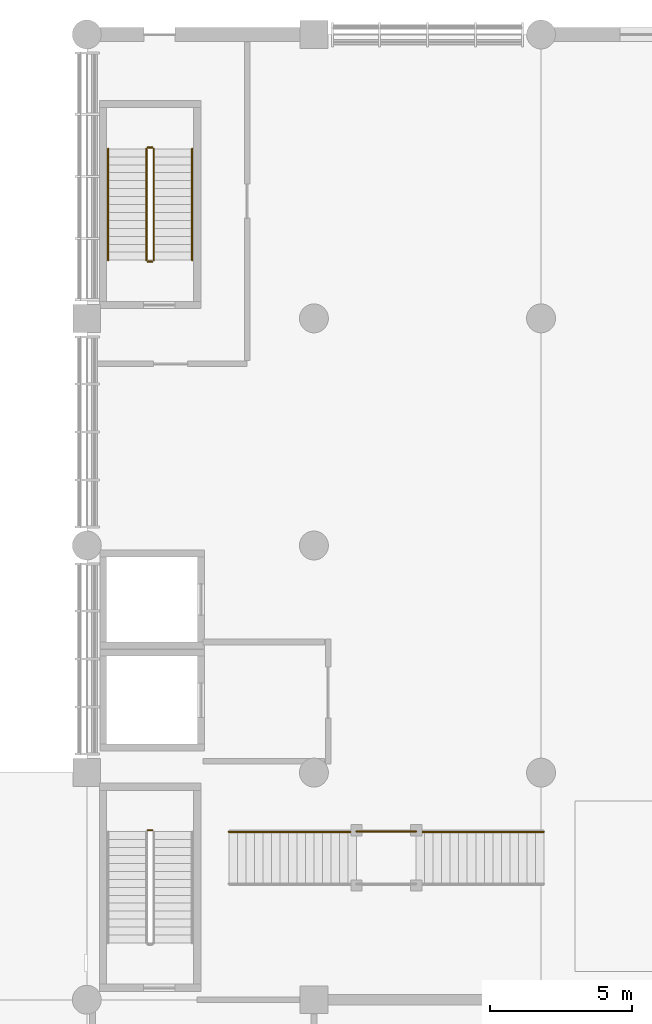
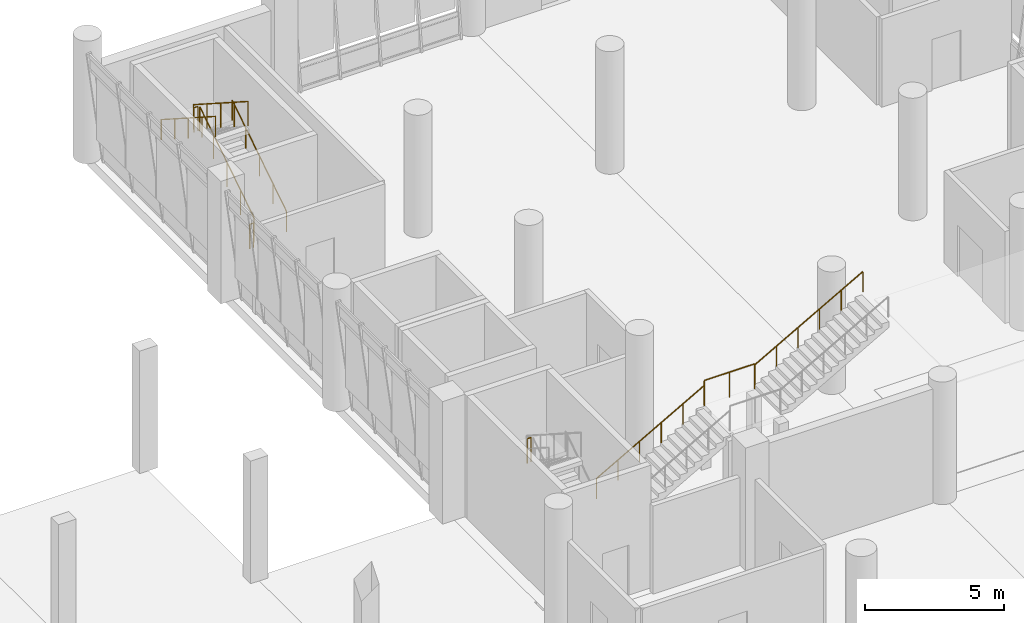
# One storey, part 39 of 42: 10 railings.
"""IFC4 building model written with IfcOpenShell, lengths in metres."""

from ifc_helpers import new_model, si_unit, direction, frame, origin, origin_2d, place, context, subcontext, project, spatial, circle, extrude, material, type_object, element, save


model = new_model("IFC4")

# Units and contexts
model_context = context("Model", 3, precision=1e-05, world=origin(), true_north=direction((0.0, 1.0)))
body_context = subcontext(model_context, "Body", "Model", "MODEL_VIEW")
ifc_project = project(units=[si_unit("LENGTHUNIT", "METRE"), si_unit("AREAUNIT", "SQUARE_METRE"), si_unit("VOLUMEUNIT", "CUBIC_METRE"), si_unit("PLANEANGLEUNIT", "RADIAN"), si_unit("MASSUNIT", "GRAM", prefix="KILO")], contexts=[model_context])

# Site, building, storey
site_placement = place(None, origin())
site = spatial("IfcSite", under=ifc_project, at=site_placement, CompositionType="ELEMENT")
building_placement = place(site_placement, origin())
building = spatial("IfcBuilding", under=site, at=building_placement, Name="Pecanmere Concourse Central Library", CompositionType="ELEMENT")
storey_placement = place(building_placement, origin())
storey = spatial("IfcBuildingStorey", under=building, at=storey_placement, Name="L01", CompositionType="ELEMENT", Elevation=0.0)

# Railings
ifc_material_1 = material(Name="Architectural anodized bronze")
railing_type_1 = type_object("IfcRailingType", Name="RAIL_ATRIUM_BAL", PredefinedType="BALUSTRADE", material=ifc_material_1)
railing_1_placement = place(storey_placement, frame((81.5, 95.925048828125, 2.699951171875)))
element("IfcRailing", 1, at=railing_1_placement, inside=storey, type_object=railing_type_1, Name="ST-M2 Mid-Landing Guard R", PredefinedType="BALUSTRADE", context=body_context, shape_type="SweptSolid", body=[
    extrude(circle(Radius=0.02392578125, at=origin_2d()), frame((0.0, 0.0, 1.09619140625), z_axis=(1.0, 0.0, 0.0), x_axis=(0.0, 1.0, 0.0)), (0.0, 0.0, 1.0), 2.10009765625),
    extrude(circle(Radius=0.02099609375, at=origin_2d()), origin(), (0.0, 0.0, 1.0), 1.072021484375),
    extrude(circle(Radius=0.02099609375, at=origin_2d()), frame((1.050048828125, 0.0, 0.0)), (0.0, 0.0, 1.0), 1.072021484375),
    extrude(circle(Radius=0.02099609375, at=origin_2d()), frame((2.10009765625, 0.0, 0.0)), (0.0, 0.0, 1.0), 1.072021484375),
])
ifc_material_2 = material(Name="Painted architectural steel ASTM A36", Category="steel")
railing_type_2 = type_object("IfcRailingType", Name="RAIL_STAIR_GUARD", PredefinedType="GUARDRAIL", material=ifc_material_2)
railing_2_placement = place(storey_placement, frame((74.31005859375, 95.969970703125, 2.699951171875)))
element("IfcRailing", 2, at=railing_2_placement, inside=storey, type_object=railing_type_2, Name="L01 ST-01 Guard 2", PredefinedType="GUARDRAIL", context=body_context, shape_type="SweptSolid", body=[
    extrude(circle(Radius=0.02392578125, at=origin_2d()), frame((0.0, 0.0, 1.076171875), z_axis=(-1.0, 0.0, 0.0), x_axis=(0.0, -1.0, 0.0)), (0.0, 0.0, 1.0), 0.16015625),
    extrude(circle(Radius=0.02099609375, at=origin_2d()), origin(), (0.0, 0.0, 1.0), 1.052001953125),
    extrude(circle(Radius=0.02099609375, at=origin_2d()), frame((-0.16015625, 0.0, 0.0)), (0.0, 0.0, 1.0), 1.052001953125),
])
railing_3_placement = place(storey_placement, frame((74.360107421875, 116.050048828125, 0.179931640625)))
element("IfcRailing", 3, at=railing_3_placement, inside=storey, type_object=railing_type_2, Name="L01 ST-03 Guard 1", PredefinedType="GUARDRAIL", context=body_context, shape_type="SweptSolid", body=[
    extrude(circle(Radius=0.02392578125, at=origin_2d()), frame((0.0, 0.0, 1.076171875), z_axis=(0.0, 0.841171666519, 0.540768182723), x_axis=(-1.0, 0.0, 0.0)), (0.0, 0.0, 1.0), 4.66015625),
    extrude(circle(Radius=0.02099609375, at=origin_2d()), origin(), (0.0, 0.0, 1.0), 1.052001953125),
    extrude(circle(Radius=0.02099609375, at=origin_2d()), frame((0.0, 0.97998046875, 0.6298828125)), (0.0, 0.0, 1.0), 1.052001953125),
    extrude(circle(Radius=0.02099609375, at=origin_2d()), frame((0.0, 1.9599609375, 1.260009765625)), (0.0, 0.0, 1.0), 1.052001953125),
    extrude(circle(Radius=0.02099609375, at=origin_2d()), frame((0.0, 2.93994140625, 1.89013671875)), (0.0, 0.0, 1.0), 1.052001953125),
    extrude(circle(Radius=0.02099609375, at=origin_2d()), frame((0.0, 3.919921875, 2.52001953125)), (0.0, 0.0, 1.0), 1.052001953125),
])
railing_4_placement = place(storey_placement, frame((74.31005859375, 120.02001953125, 2.699951171875)))
element("IfcRailing", 4, at=railing_4_placement, inside=storey, type_object=railing_type_2, Name="L01 ST-03 Guard 2", PredefinedType="GUARDRAIL", context=body_context, shape_type="SweptSolid", body=[
    extrude(circle(Radius=0.02392578125, at=origin_2d()), frame((0.0, 0.0, 1.076171875), z_axis=(-1.0, 0.0, 0.0), x_axis=(0.0, -1.0, 0.0)), (0.0, 0.0, 1.0), 0.16015625),
    extrude(circle(Radius=0.02099609375, at=origin_2d()), origin(), (0.0, 0.0, 1.0), 1.052001953125),
    extrude(circle(Radius=0.02099609375, at=origin_2d()), frame((-0.16015625, 0.0, 0.0)), (0.0, 0.0, 1.0), 1.052001953125),
])
railing_5_placement = place(storey_placement, frame((74.10009765625, 119.969970703125, 2.8798828125)))
element("IfcRailing", 5, at=railing_5_placement, inside=storey, type_object=railing_type_2, Name="L01 ST-03 Guard 3", PredefinedType="GUARDRAIL", context=body_context, shape_type="SweptSolid", body=[
    extrude(circle(Radius=0.02392578125, at=origin_2d()), frame((0.0, 0.0, 1.076171875), z_axis=(0.0, -0.841171666519, 0.540768182723), x_axis=(1.0, 0.0, 0.0)), (0.0, 0.0, 1.0), 4.66015625),
    extrude(circle(Radius=0.02099609375, at=origin_2d()), origin(), (0.0, 0.0, 1.0), 1.052001953125),
    extrude(circle(Radius=0.02099609375, at=origin_2d()), frame((0.0, -0.97998046875, 0.6298828125)), (0.0, 0.0, 1.0), 1.052001953125),
    extrude(circle(Radius=0.02099609375, at=origin_2d()), frame((0.0, -1.9599609375, 1.260009765625)), (0.0, 0.0, 1.0), 1.052001953125),
    extrude(circle(Radius=0.02099609375, at=origin_2d()), frame((0.0, -2.93994140625, 1.89013671875)), (0.0, 0.0, 1.0), 1.052001953125),
    extrude(circle(Radius=0.02099609375, at=origin_2d()), frame((0.0, -3.919921875, 2.52001953125)), (0.0, 0.0, 1.0), 1.052001953125),
])
railing_6_placement = place(storey_placement, frame((74.31005859375, 116.0, 0.0)))
element("IfcRailing", 6, at=railing_6_placement, inside=storey, type_object=railing_type_2, Name="L01 ST-03 Guard 4", PredefinedType="GUARDRAIL", context=body_context, shape_type="SweptSolid", body=[
    extrude(circle(Radius=0.02392578125, at=origin_2d()), frame((0.0, 0.0, 1.076171875), z_axis=(-1.0, 0.0, 0.0), x_axis=(0.0, -1.0, 0.0)), (0.0, 0.0, 1.0), 0.16015625),
    extrude(circle(Radius=0.02099609375, at=origin_2d()), origin(), (0.0, 0.0, 1.0), 1.052001953125),
    extrude(circle(Radius=0.02099609375, at=origin_2d()), frame((-0.16015625, 0.0, 0.0)), (0.0, 0.0, 1.0), 1.052001953125),
])
ifc_material_3 = material(Name="Brushed stainless steel Grade 316", Category="steel")
railing_type_3 = type_object("IfcRailingType", Name="RAIL_STAIR_HR", PredefinedType="HANDRAIL", material=ifc_material_3)
railing_7_placement = place(storey_placement, frame((75.7099609375, 116.050048828125, 0.179931640625)))
element("IfcRailing", 7, at=railing_7_placement, inside=storey, type_object=railing_type_3, Name="L01 ST-03 Handrail 1", PredefinedType="HANDRAIL", context=body_context, shape_type="SweptSolid", body=[
    extrude(circle(Radius=0.02392578125, at=origin_2d()), frame((0.0, 0.0, 0.89111328125), z_axis=(0.0, 0.841171666519, 0.540768182723), x_axis=(-1.0, 0.0, 0.0)), (0.0, 0.0, 1.0), 4.66015625),
    extrude(circle(Radius=0.02099609375, at=origin_2d()), origin(), (0.0, 0.0, 1.0), 0.866943359375),
    extrude(circle(Radius=0.02099609375, at=origin_2d()), frame((0.0, 0.97998046875, 0.6298828125)), (0.0, 0.0, 1.0), 0.866943359375),
    extrude(circle(Radius=0.02099609375, at=origin_2d()), frame((0.0, 1.9599609375, 1.260009765625)), (0.0, 0.0, 1.0), 0.866943359375),
    extrude(circle(Radius=0.02099609375, at=origin_2d()), frame((0.0, 2.93994140625, 1.89013671875)), (0.0, 0.0, 1.0), 0.866943359375),
    extrude(circle(Radius=0.02099609375, at=origin_2d()), frame((0.0, 3.919921875, 2.52001953125)), (0.0, 0.0, 1.0), 0.866943359375),
])
railing_8_placement = place(storey_placement, frame((72.75, 119.969970703125, 2.8798828125)))
element("IfcRailing", 8, at=railing_8_placement, inside=storey, type_object=railing_type_3, Name="L01 ST-03 Handrail 2", PredefinedType="HANDRAIL", context=body_context, shape_type="SweptSolid", body=[
    extrude(circle(Radius=0.02392578125, at=origin_2d()), frame((0.0, 0.0, 0.89111328125), z_axis=(0.0, -0.841171666519, 0.540768182723), x_axis=(1.0, 0.0, 0.0)), (0.0, 0.0, 1.0), 4.66015625),
    extrude(circle(Radius=0.02099609375, at=origin_2d()), origin(), (0.0, 0.0, 1.0), 0.866943359375),
    extrude(circle(Radius=0.02099609375, at=origin_2d()), frame((0.0, -0.97998046875, 0.6298828125)), (0.0, 0.0, 1.0), 0.866943359375),
    extrude(circle(Radius=0.02099609375, at=origin_2d()), frame((0.0, -1.9599609375, 1.260009765625)), (0.0, 0.0, 1.0), 0.866943359375),
    extrude(circle(Radius=0.02099609375, at=origin_2d()), frame((0.0, -2.93994140625, 1.89013671875)), (0.0, 0.0, 1.0), 0.866943359375),
    extrude(circle(Radius=0.02099609375, at=origin_2d()), frame((0.0, -3.919921875, 2.52001953125)), (0.0, 0.0, 1.0), 0.866943359375),
])
railing_9_placement = place(storey_placement, frame((77.0, 95.9150390625, 0.168701171875)))
element("IfcRailing", 9, at=railing_9_placement, inside=storey, type_object=railing_type_3, Name="ST-M2 Handrail 1R", PredefinedType="HANDRAIL", context=body_context, shape_type="SweptSolid", body=[
    extrude(circle(Radius=0.02392578125, at=origin_2d()), frame((0.0, 0.0, 0.89111328125), z_axis=(0.871575537125, 0.0, 0.490261239633), x_axis=(0.0, 1.0, 0.0)), (0.0, 0.0, 1.0), 5.1630859375),
    extrude(circle(Radius=0.02099609375, at=origin_2d()), origin(), (0.0, 0.0, 1.0), 0.866943359375),
    extrude(circle(Radius=0.02099609375, at=origin_2d()), frame((0.89990234375, 0.0, 0.50634765625)), (0.0, 0.0, 1.0), 0.866943359375),
    extrude(circle(Radius=0.02099609375, at=origin_2d()), frame((1.800048828125, 0.0, 1.012451171875)), (0.0, 0.0, 1.0), 0.866943359375),
    extrude(circle(Radius=0.02099609375, at=origin_2d()), frame((2.699951171875, 0.0, 1.518798828125)), (0.0, 0.0, 1.0), 0.866943359375),
    extrude(circle(Radius=0.02099609375, at=origin_2d()), frame((3.60009765625, 0.0, 2.02490234375)), (0.0, 0.0, 1.0), 0.866943359375),
    extrude(circle(Radius=0.02099609375, at=origin_2d()), frame((4.5, 0.0, 2.53125)), (0.0, 0.0, 1.0), 0.866943359375),
])
railing_10_placement = place(storey_placement, frame((83.60009765625, 95.9150390625, 2.868896484375)))
element("IfcRailing", 10, at=railing_10_placement, inside=storey, type_object=railing_type_3, Name="ST-M2 Handrail 2R", PredefinedType="HANDRAIL", context=body_context, shape_type="SweptSolid", body=[
    extrude(circle(Radius=0.02392578125, at=origin_2d()), frame((0.0, 0.0, 0.89111328125), z_axis=(0.871595742146, 0.0, 0.490225317862), x_axis=(0.0, 1.0, 0.0)), (0.0, 0.0, 1.0), 5.162841796875),
    extrude(circle(Radius=0.02099609375, at=origin_2d()), origin(), (0.0, 0.0, 1.0), 0.866943359375),
    extrude(circle(Radius=0.02099609375, at=origin_2d()), frame((0.89990234375, 0.0, 0.506103515625)), (0.0, 0.0, 1.0), 0.866943359375),
    extrude(circle(Radius=0.02099609375, at=origin_2d()), frame((1.800048828125, 0.0, 1.012451171875)), (0.0, 0.0, 1.0), 0.866943359375),
    extrude(circle(Radius=0.02099609375, at=origin_2d()), frame((2.699951171875, 0.0, 1.5185546875)), (0.0, 0.0, 1.0), 0.866943359375),
    extrude(circle(Radius=0.02099609375, at=origin_2d()), frame((3.60009765625, 0.0, 2.02490234375)), (0.0, 0.0, 1.0), 0.866943359375),
    extrude(circle(Radius=0.02099609375, at=origin_2d()), frame((4.5, 0.0, 2.531005859375)), (0.0, 0.0, 1.0), 0.866943359375),
])

save(model, "model.ifc")
